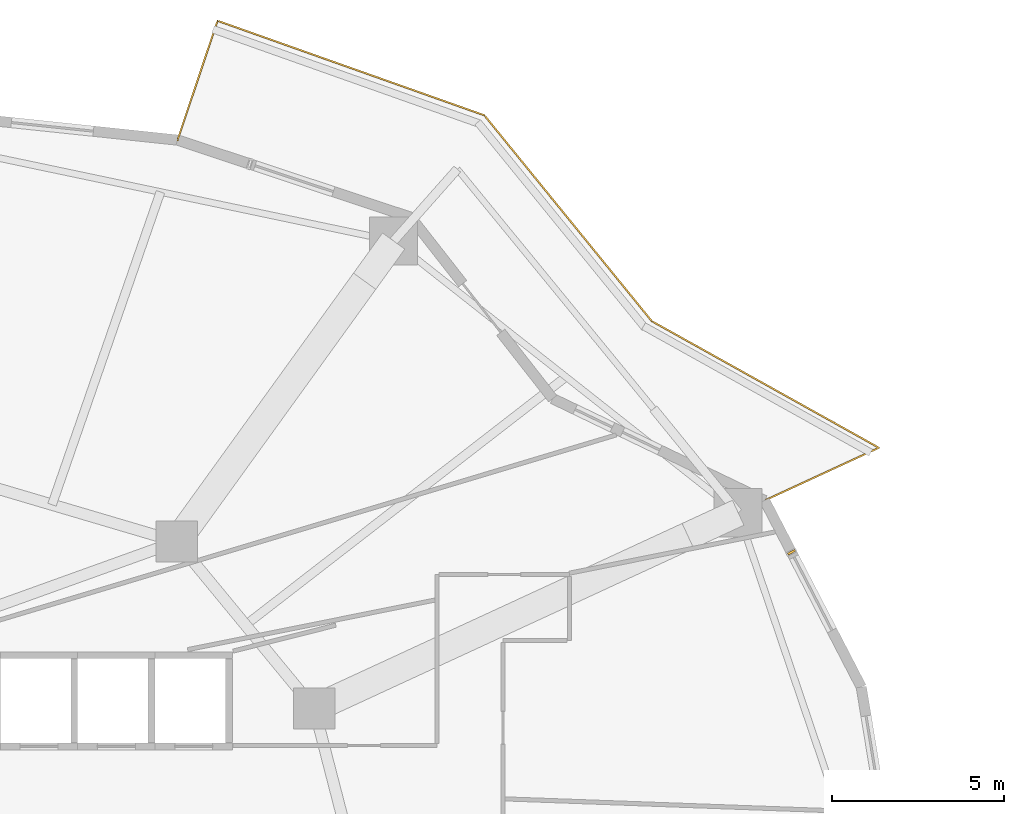
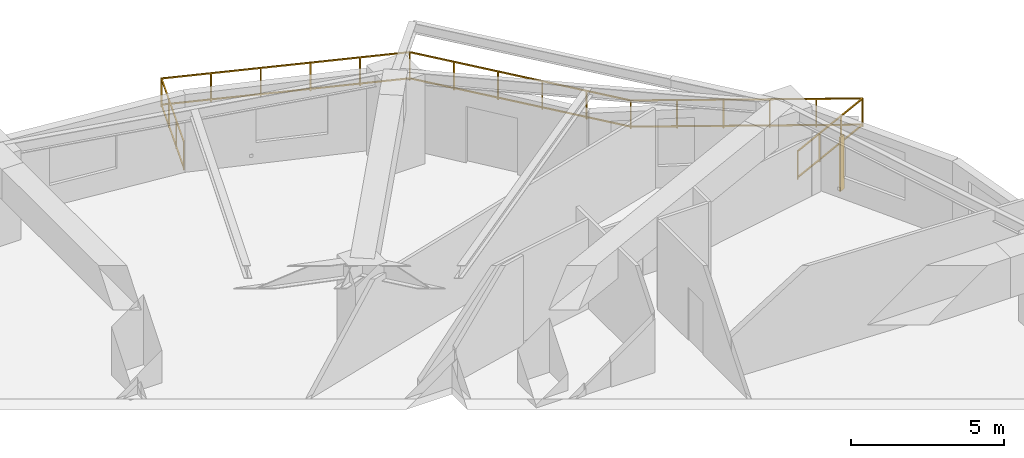
# One storey, part 13 of 13: 1 railing, 1 shading device.
"""IFC4 building model written with IfcOpenShell, lengths in metres."""

import ifcopenshell
import ifcopenshell.guid

model = None  # the IFC model being written
_history = None  # IfcOwnerHistory: only IFC2X3 demands one
_inside = {}  # id of a spatial element -> (the spatial element, [elements in it])
_under = {}  # id of a project, library or spatial element -> (it, [spatial elements below it])
_declared = {}  # id of a project -> (the project, [libraries it declares])
_typed = {}  # id of a type object -> (the type object, [elements of that type])
_made_of = {}  # id of a material, layer set ... -> (it, [elements and type objects made of it])


def new_model(schema):
    """Start an empty IFC model of exactly this schema.

    Asked for "IFC4X3", IfcOpenShell would pick the latest addendum, in which some entities
    have other attributes; the version numbers below select the first issue.
    IFC2X3 requires an IfcOwnerHistory on every rooted entity: one is made here for all.
    """
    global model, _history
    if schema == "IFC4X3":
        model = ifcopenshell.file(schema_version=(4, 3, 0, 0))
    else:
        model = ifcopenshell.file(schema=schema)
    _inside.clear()
    _under.clear()
    _declared.clear()
    _typed.clear()
    _made_of.clear()
    _history = None
    if model.schema == "IFC2X3":
        org = make("IfcOrganization", Name="unknown")
        user = make(
            "IfcPersonAndOrganization",
            ThePerson=make("IfcPerson", FamilyName="unknown"),
            TheOrganization=org,
        )
        app = make(
            "IfcApplication",
            ApplicationDeveloper=org,
            Version="unknown",
            ApplicationFullName="unknown",
            ApplicationIdentifier="unknown",
        )
        _history = make(
            "IfcOwnerHistory",
            OwningUser=user,
            OwningApplication=app,
            ChangeAction="ADDED",
            CreationDate=0,
        )
    return model


def make(cls, **values):
    """One entity of the class cls with the attributes given. An attribute that is None is left unset."""
    return model.create_entity(
        cls, **{name: value for name, value in values.items() if value is not None}
    )


def rooted(cls, **values):
    """An entity with a GlobalId (a new one), such as an element, a storey or a relation."""
    return make(cls, GlobalId=ifcopenshell.guid.new(), OwnerHistory=_history, **values)


def si_unit(unit_type, name, prefix=None):
    """IfcSIUnit, for example si_unit("LENGTHUNIT", "METRE", prefix="MILLI")."""
    return make("IfcSIUnit", UnitType=unit_type, Prefix=prefix, Name=name)


def assignment(units):
    """IfcUnitAssignment: the units of a project."""
    return None if units is None else make("IfcUnitAssignment", Units=units)


def point(xyz):
    """IfcCartesianPoint."""
    return None if xyz is None else make("IfcCartesianPoint", Coordinates=xyz)


def direction(xyz):
    """IfcDirection."""
    return None if xyz is None else make("IfcDirection", DirectionRatios=xyz)


def frame(location, z_axis=None, x_axis=None):
    """IfcAxis2Placement3D, a coordinate frame: its origin and axes. An axis left out is left unset."""
    return make(
        "IfcAxis2Placement3D",
        Location=point(location),
        Axis=direction(z_axis),
        RefDirection=direction(x_axis),
    )


def frame_2d(location, x_axis=None):
    """IfcAxis2Placement2D, a coordinate frame in the plane: its origin and x axis."""
    return make(
        "IfcAxis2Placement2D", Location=point(location), RefDirection=direction(x_axis)
    )


def origin():
    """The frame at (0, 0, 0) with its axes left unset."""
    return frame((0.0, 0.0, 0.0))


def origin_2d():
    """The frame at (0, 0) in the plane with its x axis left unset."""
    return frame_2d((0.0, 0.0))


def place(relative_to, where):
    """IfcLocalPlacement: puts the frame where relative to a parent placement (None: the world)."""
    return make(
        "IfcLocalPlacement", PlacementRelTo=relative_to, RelativePlacement=where
    )


def context(
    kind, dimensions, precision=None, world=None, true_north=None, identifier=None
):
    """IfcGeometricRepresentationContext, for example the 3D "Model" context."""
    return make(
        "IfcGeometricRepresentationContext",
        ContextIdentifier=identifier,
        ContextType=kind,
        CoordinateSpaceDimension=dimensions,
        Precision=precision,
        WorldCoordinateSystem=world,
        TrueNorth=true_north,
    )


def subcontext(parent, identifier, kind, view, scale=None):
    """IfcGeometricRepresentationSubContext, for example "Body" below "Model"."""
    return make(
        "IfcGeometricRepresentationSubContext",
        ContextIdentifier=identifier,
        ContextType=kind,
        ParentContext=parent,
        TargetScale=scale,
        TargetView=view,
    )


def project(units=None, contexts=None):
    """IfcProject with its units and contexts."""
    return rooted(
        "IfcProject",
        Name="project",
        RepresentationContexts=contexts,
        UnitsInContext=assignment(units),
    )


def spatial(cls, under=None, at=None, **own):
    """A site, building, storey or space (cls), placed at a placement, below another one or the project."""
    s = rooted(cls, ObjectPlacement=at, **own)
    if under is not None:
        _under.setdefault(under.id(), (under, []))[1].append(s)
    return s


def profile(cls, at=None, kind="AREA", **sizes):
    """A parametric profile (cls). Its sizes go by their IFC names, for example OverallWidth=200.0."""
    return make(cls, ProfileType=kind, Position=at, **sizes)


def rectangle(**sizes):
    """IfcRectangleProfileDef."""
    return profile("IfcRectangleProfileDef", **sizes)


def extrude(swept, where, along, depth):
    """IfcExtrudedAreaSolid: the profile swept, set in the frame where, extruded along a direction by depth."""
    return make(
        "IfcExtrudedAreaSolid",
        SweptArea=swept,
        Position=where,
        ExtrudedDirection=direction(along),
        Depth=depth,
    )


def shape(context_of_items, identifier, shape_type, items):
    """IfcShapeRepresentation: the items that make up one representation, for example the "Body"."""
    return make(
        "IfcShapeRepresentation",
        ContextOfItems=context_of_items,
        RepresentationIdentifier=identifier,
        RepresentationType=shape_type,
        Items=items,
    )


def material(Name=None, Category=None):
    """IfcMaterial."""
    return make("IfcMaterial", Name=Name, Category=Category)


def made_of(thing, what):
    """Note that an element or type object is made of a material, layer set ...; save() writes the relation."""
    if what is not None:
        _made_of.setdefault(what.id(), (what, []))[1].append(thing)
    return thing


def type_object(cls, material=None, **own):
    """A type object (cls), such as IfcWallType, which elements share."""
    return made_of(rooted(cls, **own), material)


def element(
    cls,
    number,
    at=None,
    inside=None,
    cuts=None,
    type_object=None,
    material=None,
    context=None,
    identifier="Body",
    shape_type=None,
    held_by="IfcProductDefinitionShape",
    body=None,
    shapes=None,
    **own,
):
    """One element of the class cls, such as IfcWall. Its Tag is "e" and its number.

    at: its placement. inside: the storey or other place that contains it. cuts: it is an
    opening in that element (IfcRelVoidsElement). A single representation is given by context,
    identifier, shape_type and body (its items); several are given by shapes. held_by: the class
    of the entity that holds the representations. save() writes the other relations.
    """
    e = rooted(cls, Tag="e%d" % number, ObjectPlacement=at, **own)
    if body is not None:
        shapes = [shape(context, identifier, shape_type, body)]
    if shapes is not None:
        e.Representation = make(held_by, Representations=shapes)
    if inside is not None:
        _inside.setdefault(inside.id(), (inside, []))[1].append(e)
    if cuts is not None:
        rooted(
            "IfcRelVoidsElement", RelatingBuildingElement=cuts, RelatedOpeningElement=e
        )
    if type_object is not None:
        _typed.setdefault(type_object.id(), (type_object, []))[1].append(e)
    return made_of(e, material)


def aggregate(whole, parts):
    """IfcRelAggregates: a whole, such as a stair, and the parts it consists of."""
    return rooted("IfcRelAggregates", RelatingObject=whole, RelatedObjects=parts)


def save(model, path):
    """Write the relations noted so far, then the file.

    IfcRelAggregates (storeys below a building ...), IfcRelContainedInSpatialStructure (elements
    in a storey), IfcRelDefinesByType, IfcRelAssociatesMaterial and IfcRelDeclares: one each for
    every whole, place, type object, material and project.
    """
    for whole, parts in _under.values():
        aggregate(whole, parts)
    for where, things in _inside.values():
        rooted(
            "IfcRelContainedInSpatialStructure",
            RelatedElements=things,
            RelatingStructure=where,
        )
    for kind, things in _typed.values():
        rooted("IfcRelDefinesByType", RelatedObjects=things, RelatingType=kind)
    for what, things in _made_of.values():
        rooted("IfcRelAssociatesMaterial", RelatedObjects=things, RelatingMaterial=what)
    for by, libraries in _declared.values():
        rooted("IfcRelDeclares", RelatingContext=by, RelatedDefinitions=libraries)
    model.write(path)


model = new_model("IFC4")

# Units and contexts
model_context = context("Model", 3, precision=1e-05, world=origin(), true_north=direction((0.0, 1.0)))
body_context = subcontext(model_context, "Body", "Model", "MODEL_VIEW")
ifc_project = project(units=[si_unit("LENGTHUNIT", "METRE"), si_unit("AREAUNIT", "SQUARE_METRE"), si_unit("VOLUMEUNIT", "CUBIC_METRE"), si_unit("PLANEANGLEUNIT", "RADIAN"), si_unit("MASSUNIT", "GRAM", prefix="KILO")], contexts=[model_context])

# Site, building, storey
site_placement = place(None, origin())
site = spatial("IfcSite", under=ifc_project, at=site_placement, CompositionType="ELEMENT")
building_placement = place(site_placement, origin())
building = spatial("IfcBuilding", under=site, at=building_placement, Name="Kolvaren Gate Tower and Convention Centre", CompositionType="ELEMENT")
storey_placement = place(building_placement, frame((0.0, 0.0, 49.60009765625)))
storey = spatial("IfcBuildingStorey", under=building, at=storey_placement, Name="L11", CompositionType="ELEMENT", Elevation=49.60009765625)

# Railing
ifc_material_1 = material(Name="Brushed Stainless Steel Grade 316L", Category="steel")
railing_type = type_object("IfcRailingType", Name="ARCH-RL-GUARD-1150", PredefinedType="GUARDRAIL", material=ifc_material_1)
railing_placement = place(storey_placement, frame((54.48193359375, 38.25, 0.0)))
element("IfcRailing", 1, at=railing_placement, inside=storey, type_object=railing_type, Name="Tower L11 Terrace Perimeter Guardrail GR-1", PredefinedType="GUARDRAIL", context=body_context, shape_type="SweptSolid", body=[
    extrude(rectangle(XDim=0.048095703125, YDim=0.048095703125, at=origin_2d()), frame((0.025390625, 0.01171875, 1.1259765625), z_axis=(0.907846116663, 0.419303503993, 0.0), x_axis=(-0.419303503993, 0.907846116663, 0.0)), (0.0, 0.0, 1.0), 3.60400390625),
    extrude(rectangle(XDim=0.048095703125, YDim=0.048095703125, at=origin_2d()), frame((0.025390625, 0.01171875, 0.083984375), z_axis=(0.907846116663, 0.419303503993, 0.0), x_axis=(-0.419303503993, 0.907846116663, 0.0)), (0.0, 0.0, 1.0), 3.60400390625),
    extrude(rectangle(XDim=0.048095703125, YDim=0.048095703125, at=origin_2d()), frame((3.29833984375, 1.54833984375, 1.1259765625), z_axis=(-0.873486390754, 0.486848564923, 0.0), x_axis=(-0.486848564923, -0.873486390754, 0.0)), (0.0, 0.0, 1.0), 7.506103515625),
    extrude(rectangle(XDim=0.048095703125, YDim=0.048095703125, at=origin_2d()), frame((3.29833984375, 1.54833984375, 0.083984375), z_axis=(-0.873486390754, 0.486848564923, 0.0), x_axis=(-0.486848564923, -0.873486390754, 0.0)), (0.0, 0.0, 1.0), 7.506103515625),
    extrude(rectangle(XDim=0.048095703125, YDim=0.048095703125, at=origin_2d()), frame((-3.30029296875, 5.238037109375, 1.1259765625), z_axis=(-0.631012936188, 0.775772308324, 0.0), x_axis=(-0.775772308324, -0.631012936188, 0.0)), (0.0, 0.0, 1.0), 7.661376953125),
    extrude(rectangle(XDim=0.048095703125, YDim=0.048095703125, at=origin_2d()), frame((-3.30029296875, 5.238037109375, 0.083984375), z_axis=(-0.631012936188, 0.775772308324, 0.0), x_axis=(-0.775772308324, -0.631012936188, 0.0)), (0.0, 0.0, 1.0), 7.661376953125),
    extrude(rectangle(XDim=0.048095703125, YDim=0.048095703125, at=origin_2d()), frame((-8.178955078125, 11.212646484375, 1.1259765625), z_axis=(-0.942581348797, 0.333976647237, 0.0), x_axis=(-0.333976647237, -0.942581348797, 0.0)), (0.0, 0.0, 1.0), 8.179443359375),
    extrude(rectangle(XDim=0.048095703125, YDim=0.048095703125, at=origin_2d()), frame((-8.178955078125, 11.212646484375, 0.083984375), z_axis=(-0.942581348797, 0.333976647237, 0.0), x_axis=(-0.333976647237, -0.942581348797, 0.0)), (0.0, 0.0, 1.0), 8.179443359375),
    extrude(rectangle(XDim=0.048095703125, YDim=0.048095703125, at=origin_2d()), frame((-15.924072265625, 13.92724609375, 1.1259765625), z_axis=(-0.317588247294, -0.948228719867, 0.0), x_axis=(0.948228719867, -0.317588247294, 0.0)), (0.0, 0.0, 1.0), 3.603759765625),
    extrude(rectangle(XDim=0.048095703125, YDim=0.048095703125, at=origin_2d()), frame((-15.924072265625, 13.92724609375, 0.083984375), z_axis=(-0.317588247294, -0.948228719867, 0.0), x_axis=(0.948228719867, -0.317588247294, 0.0)), (0.0, 0.0, 1.0), 3.603759765625),
    extrude(rectangle(XDim=0.0419921875, YDim=0.0419921875, at=origin_2d()), origin(), (0.0, 0.0, 1.0), 1.14990234375),
    extrude(rectangle(XDim=0.0419921875, YDim=0.0419921875, at=origin_2d()), frame((3.32275390625, 1.53466796875, 0.0)), (0.0, 0.0, 1.0), 1.14990234375),
    extrude(rectangle(XDim=0.0419921875, YDim=0.0419921875, at=origin_2d()), frame((1.107666015625, 0.511474609375, 0.0)), (0.0, 0.0, 1.0), 1.099853515625),
    extrude(rectangle(XDim=0.0419921875, YDim=0.0419921875, at=origin_2d()), frame((2.215087890625, 1.023193359375, 0.0)), (0.0, 0.0, 1.0), 1.099853515625),
    extrude(rectangle(XDim=0.0419921875, YDim=0.0419921875, at=origin_2d()), frame((-3.28271484375, 5.21630859375, 0.0)), (0.0, 0.0, 1.0), 1.14990234375),
    extrude(rectangle(XDim=0.0419921875, YDim=0.0419921875, at=origin_2d()), frame((2.001708984375, 2.27099609375, 0.0)), (0.0, 0.0, 1.0), 1.099853515625),
    extrude(rectangle(XDim=0.0419921875, YDim=0.0419921875, at=origin_2d()), frame((0.6806640625, 3.00732421875, 0.0)), (0.0, 0.0, 1.0), 1.099853515625),
    extrude(rectangle(XDim=0.0419921875, YDim=0.0419921875, at=origin_2d()), frame((-0.640625, 3.74365234375, 0.0)), (0.0, 0.0, 1.0), 1.099853515625),
    extrude(rectangle(XDim=0.0419921875, YDim=0.0419921875, at=origin_2d()), frame((-1.961669921875, 4.47998046875, 0.0)), (0.0, 0.0, 1.0), 1.099853515625),
    extrude(rectangle(XDim=0.0419921875, YDim=0.0419921875, at=origin_2d()), frame((-8.152587890625, 11.203369140625, 0.0)), (0.0, 0.0, 1.0), 1.14990234375),
    extrude(rectangle(XDim=0.0419921875, YDim=0.0419921875, at=origin_2d()), frame((-4.256591796875, 6.413818359375, 0.0)), (0.0, 0.0, 1.0), 1.099853515625),
    extrude(rectangle(XDim=0.0419921875, YDim=0.0419921875, at=origin_2d()), frame((-5.230712890625, 7.611083984375, 0.0)), (0.0, 0.0, 1.0), 1.099853515625),
    extrude(rectangle(XDim=0.0419921875, YDim=0.0419921875, at=origin_2d()), frame((-6.20458984375, 8.80859375, 0.0)), (0.0, 0.0, 1.0), 1.099853515625),
    extrude(rectangle(XDim=0.0419921875, YDim=0.0419921875, at=origin_2d()), frame((-7.1787109375, 10.005859375, 0.0)), (0.0, 0.0, 1.0), 1.099853515625),
    extrude(rectangle(XDim=0.0419921875, YDim=0.0419921875, at=origin_2d()), frame((-15.915283203125, 13.953857421875, 0.0)), (0.0, 0.0, 1.0), 1.14990234375),
    extrude(rectangle(XDim=0.0419921875, YDim=0.0419921875, at=origin_2d()), frame((-9.705078125, 11.75341796875, 0.0)), (0.0, 0.0, 1.0), 1.099853515625),
    extrude(rectangle(XDim=0.0419921875, YDim=0.0419921875, at=origin_2d()), frame((-11.257568359375, 12.303466796875, 0.0)), (0.0, 0.0, 1.0), 1.099853515625),
    extrude(rectangle(XDim=0.0419921875, YDim=0.0419921875, at=origin_2d()), frame((-12.810302734375, 12.853759765625, 0.0)), (0.0, 0.0, 1.0), 1.099853515625),
    extrude(rectangle(XDim=0.0419921875, YDim=0.0419921875, at=origin_2d()), frame((-14.36279296875, 13.40380859375, 0.0)), (0.0, 0.0, 1.0), 1.099853515625),
    extrude(rectangle(XDim=0.0419921875, YDim=0.0419921875, at=origin_2d()), frame((-17.07763671875, 10.4833984375, 0.0)), (0.0, 0.0, 1.0), 1.14990234375),
    extrude(rectangle(XDim=0.0419921875, YDim=0.0419921875, at=origin_2d()), frame((-16.302734375, 12.797119140625, 0.0)), (0.0, 0.0, 1.0), 1.099853515625),
    extrude(rectangle(XDim=0.0419921875, YDim=0.0419921875, at=origin_2d()), frame((-16.690185546875, 11.64013671875, 0.0)), (0.0, 0.0, 1.0), 1.099853515625),
])

# Shading device
ifc_material_2 = material(Name="Kiln-Fired Bogota Terracotta Ceramic Louvre Profile", Category="masonry")
shading_device_type = type_object("IfcShadingDeviceType", Name="ARCH-SHD-FIN-180", PredefinedType="JALOUSIE", material=ifc_material_2)
shading_device_placement = place(storey_placement, frame((55.26123046875, 36.744873046875, 0.219970703125), z_axis=(0.0, 0.0, 1.0), x_axis=(0.459789110083, -0.888028138208, 0.0)))
element("IfcShadingDevice", 2, at=shading_device_placement, inside=storey, type_object=shading_device_type, Name="Ceramic Vertical Brise-Soleil Fin FN-L11-01", PredefinedType="JALOUSIE", context=body_context, shape_type="SweptSolid", body=[
    extrude(rectangle(XDim=0.06005859375, YDim=0.239990234375, at=origin_2d()), origin(), (0.0, 0.0, 1.0), 2.14990234375),
])

save(model, "model.ifc")
